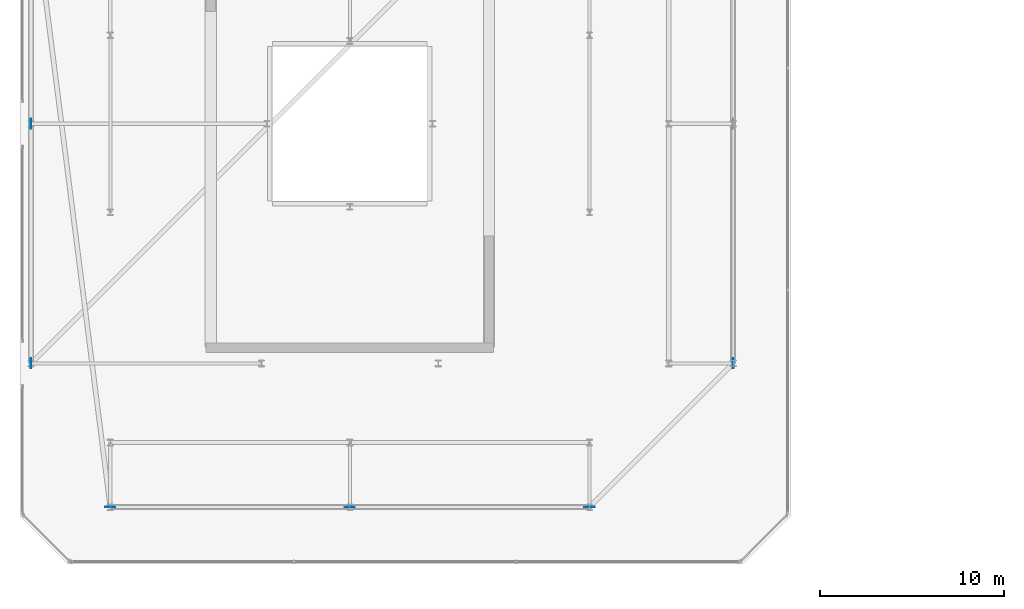
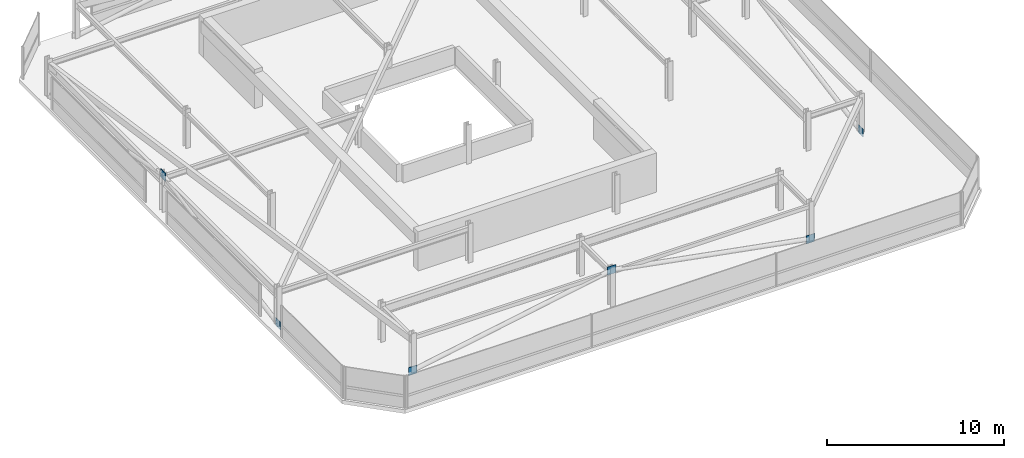
# One storey, part 38 of 42: 6 plates.
"""IFC4 building model written with IfcOpenShell, lengths in metres."""

from ifc_helpers import new_model, si_unit, direction, frame, origin, origin_2d, place, context, subcontext, project, spatial, rectangle, extrude, material, layer, layer_set, type_object, element, save


model = new_model("IFC4")

# Units and contexts
model_context = context("Model", 3, precision=1e-05, world=origin(), true_north=direction((0.0, 1.0)))
body_context = subcontext(model_context, "Body", "Model", "MODEL_VIEW")
ifc_project = project(units=[si_unit("LENGTHUNIT", "METRE"), si_unit("AREAUNIT", "SQUARE_METRE"), si_unit("VOLUMEUNIT", "CUBIC_METRE"), si_unit("PLANEANGLEUNIT", "RADIAN"), si_unit("MASSUNIT", "GRAM", prefix="KILO")], contexts=[model_context])

# Site, building, storey
site_placement = place(None, origin())
site = spatial("IfcSite", under=ifc_project, at=site_placement, CompositionType="ELEMENT")
building_placement = place(site_placement, origin())
building = spatial("IfcBuilding", under=site, at=building_placement, Name="Thornwick Lancets Civic Towers", CompositionType="ELEMENT")
storey_placement = place(building_placement, frame((0.0, 0.0, 289.5)))
storey = spatial("IfcBuildingStorey", under=building, at=storey_placement, Name="C04", CompositionType="ELEMENT", Elevation=289.5)

# Plates
ifc_material = material(Name="Steel S460M", Category="steel")
ifc_layer = layer(ifc_material, 0.0400390625, Name="Steel S460M")
ifc_layer_set = layer_set([ifc_layer], Name="Steel S460M")
plate_type = type_object("IfcPlateType", Name="PLT_GUSSET_40", PredefinedType="USERDEFINED", material=ifc_layer_set)
for number, where, z_axis, x_axis, name in (
    (1, (12.5, 6.199951171875, -0.22509765625), (0.0, 0.0, 1.0), (1.0, 0.0, 0.0), "C04 Brace Connection Gusset Plate 0509"),
    (2, (25.5, 6.199951171875, 2.1650390625), (0.0, 0.0, 1.0), (1.0, 0.0, 0.0), "C04 Brace Connection Gusset Plate 0510"),
    (3, (38.5, 6.199951171875, -0.22509765625), (0.0, 0.0, 1.0), (-1.0, 0.0, 0.0), "C04 Brace Connection Gusset Plate 0511"),
    (4, (46.300048828125, 14.0, -0.22509765625), (0.0, 0.0, 1.0), (0.0, 1.0, 0.0), "C04 Brace Connection Gusset Plate 0512"),
    (5, (8.199951171875, 14.0, -0.22509765625), (0.0, 0.0, 1.0), (0.0, 1.0, 0.0), "C04 Brace Connection Gusset Plate 0518"),
    (6, (8.199951171875, 27.0, 2.1650390625), (0.0, 0.0, 1.0), (0.0, 1.0, 0.0), "C04 Brace Connection Gusset Plate 0519"),
):
    element("IfcPlate", number, at=place(storey_placement, frame(where, z_axis=z_axis, x_axis=x_axis)), inside=storey, type_object=plate_type, Name=name, ObjectType="GUSSET_PLATE", PredefinedType="USERDEFINED", context=body_context, shape_type="SweptSolid", body=[
        extrude(rectangle(XDim=0.550048828125, YDim=0.0400390625, at=origin_2d()), origin(), (0.0, 0.0, 1.0), 0.550048828125),
    ])

save(model, "model.ifc")
